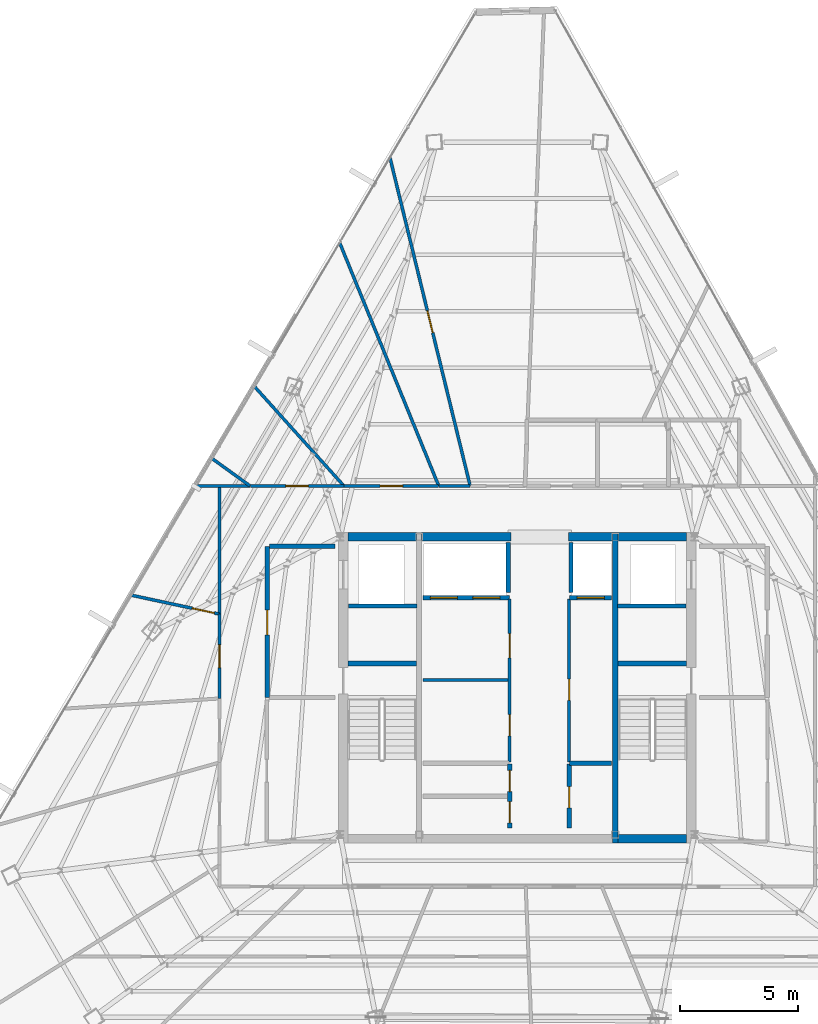
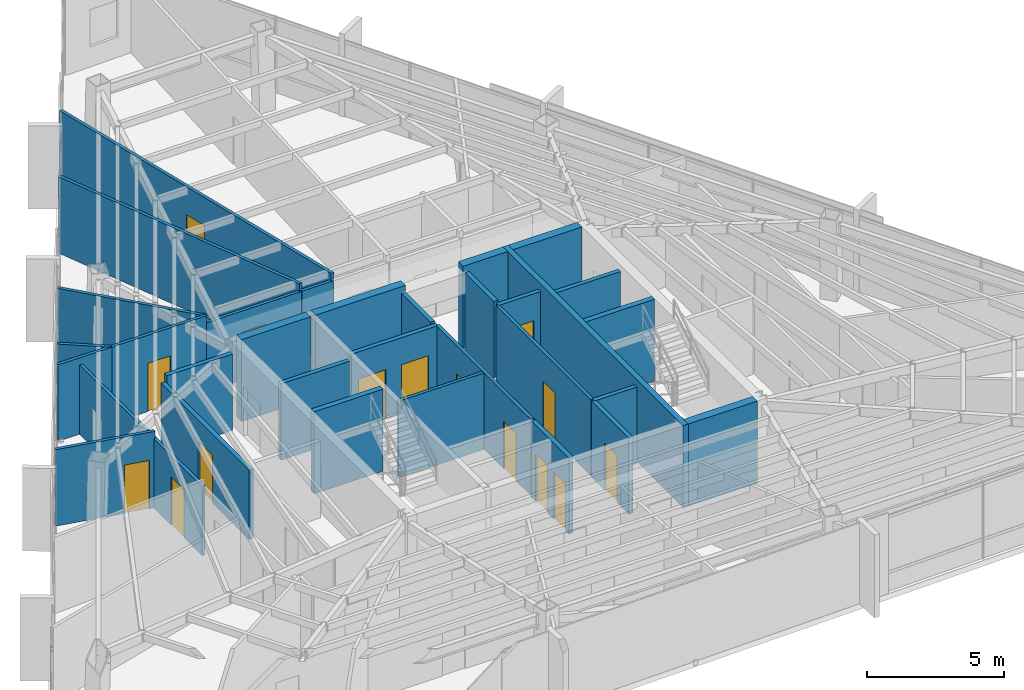
# One storey, part 44 of 48: 33 walls, 15 doors, 15 openings.
"""IFC4 building model written with IfcOpenShell, lengths in metres."""

from ifc_helpers import new_model, si_unit, direction, frame, frame_2d, origin, place, context, subcontext, project, spatial, rectangle, extrude, material, layer, layer_set, type_object, element, fill, save


model = new_model("IFC4")

# Units and contexts
model_context = context("Model", 3, precision=1e-05, world=origin(), true_north=direction((0.0, 1.0)))
body_context = subcontext(model_context, "Body", "Model", "MODEL_VIEW")
ifc_project = project(units=[si_unit("LENGTHUNIT", "METRE"), si_unit("AREAUNIT", "SQUARE_METRE"), si_unit("VOLUMEUNIT", "CUBIC_METRE"), si_unit("PLANEANGLEUNIT", "RADIAN"), si_unit("MASSUNIT", "GRAM", prefix="KILO")], contexts=[model_context])

# Site, building, storey
site_placement = place(None, origin())
site = spatial("IfcSite", under=ifc_project, at=site_placement, CompositionType="ELEMENT")
building_placement = place(site_placement, origin())
building = spatial("IfcBuilding", under=site, at=building_placement, Name="Caelisora Broadcast Tower", CompositionType="ELEMENT")
storey_placement = place(building_placement, frame((0.0, 0.0, 270.0)))
storey = spatial("IfcBuildingStorey", under=building, at=storey_placement, Name="L71", CompositionType="ELEMENT", Elevation=270.0)

# Walls
ifc_material_1 = material(Name="Concrete 40 MPa (AS 3600 N40)", Category="concrete")
ifc_layer_1 = layer(ifc_material_1, 0.35009765625, Name="Concrete 40 MPa (AS 3600 N40)")
ifc_layer_set_1 = layer_set([ifc_layer_1], Name="Concrete 40 MPa (AS 3600 N40)")
wall_type_1 = type_object("IfcWallType", Name="CW6", PredefinedType="SHEAR", material=ifc_layer_set_1)
for number, where, z_axis, x_axis, name in (
    (1, (42.260009765625, 17.22509765625, 0.0), (0.0, 0.0, 1.0), (1.0, 0.0, 0.0), "L71 core shear wall CW6"),
    (2, (30.840087890625, 30.0, 0.0), (0.0, 0.0, 1.0), (1.0, 0.0, 0.0), "L71 core shear wall CW6"),
):
    element("IfcWall", number, at=place(storey_placement, frame(where, z_axis=z_axis, x_axis=x_axis)), inside=storey, type_object=wall_type_1, Name=name, PredefinedType="SHEAR", context=body_context, shape_type="SweptSolid", body=[
        extrude(rectangle(XDim=2.89990234375, YDim=0.35009765625, at=frame_2d((1.449951171875, 0.0))), origin(), (0.0, 0.0, 1.0), 3.64990234375),
    ])
wall_1_placement = place(storey_placement, frame((33.9599609375, 30.0, 0.0), z_axis=(0.0, 0.0, 1.0), x_axis=(1.0, 0.0, 0.0)))
element("IfcWall", 3, at=wall_1_placement, inside=storey, type_object=wall_type_1, Name="L71 core shear wall CW6", PredefinedType="SHEAR", context=body_context, shape_type="SweptSolid", body=[
    extrude(rectangle(XDim=3.780029296875, YDim=0.35009765625, at=frame_2d((1.89013671875, 0.0))), origin(), (0.0, 0.0, 1.0), 3.64990234375),
])
wall_2_placement = place(storey_placement, frame((40.159912109375, 30.0, 0.0), z_axis=(0.0, 0.0, 1.0), x_axis=(1.0, 0.0, 0.0)))
element("IfcWall", 4, at=wall_2_placement, inside=storey, type_object=wall_type_1, Name="L71 core shear wall CW6", PredefinedType="SHEAR", context=body_context, shape_type="SweptSolid", body=[
    extrude(rectangle(XDim=1.880126953125, YDim=0.35009765625, at=frame_2d((0.93994140625, 0.0))), origin(), (0.0, 0.0, 1.0), 3.64990234375),
])
wall_3_placement = place(storey_placement, frame((42.260009765625, 30.0, 0.0), z_axis=(0.0, 0.0, 1.0), x_axis=(1.0, 0.0, 0.0)))
element("IfcWall", 5, at=wall_3_placement, inside=storey, type_object=wall_type_1, Name="L71 core shear wall CW6", PredefinedType="SHEAR", context=body_context, shape_type="SweptSolid", body=[
    extrude(rectangle(XDim=2.89990234375, YDim=0.35009765625, at=frame_2d((1.449951171875, 0.0))), origin(), (0.0, 0.0, 1.0), 3.64990234375),
])
ifc_material_2 = material(Name="Concrete 50 MPa (AS 3600 S50)", Category="concrete")
ifc_layer_2 = layer(ifc_material_2, 0.219970703125, Name="Concrete 50 MPa (AS 3600 S50)")
ifc_layer_set_2 = layer_set([ifc_layer_2], Name="Concrete 50 MPa (AS 3600 S50)")
wall_type_2 = type_object("IfcWallType", Name="CW7", PredefinedType="SHEAR", material=ifc_layer_set_2)
wall_4_placement = place(storey_placement, frame((42.14990234375, 17.050048828125, 0.0), z_axis=(0.0, 0.0, 1.0), x_axis=(0.0, 1.0, 0.0)))
element("IfcWall", 6, at=wall_4_placement, inside=storey, type_object=wall_type_2, Name="L71 core shear wall CW7", PredefinedType="SHEAR", context=body_context, shape_type="SweptSolid", body=[
    extrude(rectangle(XDim=13.125, YDim=0.219970703125, at=frame_2d((6.5625, 0.0))), origin(), (0.0, 0.0, 1.0), 3.64990234375),
])
for number, where, z_axis, x_axis, name in (
    (7, (30.840087890625, 24.639892578125, 0.0), (0.0, 0.0, 1.0), (1.0, 0.0, 0.0), "L71 core shear wall CW7"),
    (8, (42.260009765625, 24.639892578125, 0.0), (0.0, 0.0, 1.0), (1.0, 0.0, 0.0), "L71 core shear wall CW7"),
):
    element("IfcWall", number, at=place(storey_placement, frame(where, z_axis=z_axis, x_axis=x_axis)), inside=storey, type_object=wall_type_2, Name=name, PredefinedType="SHEAR", context=body_context, shape_type="SweptSolid", body=[
        extrude(rectangle(XDim=2.89990234375, YDim=0.219970703125, at=frame_2d((1.449951171875, 0.0))), origin(), (0.0, 0.0, 1.0), 3.64990234375),
    ])

# Wall, openings, doors
ifc_material_3 = material(Name="Fire-Rated Gypsum Shaft and Compartment Wall", Category="gypsum")
ifc_layer_3 = layer(ifc_material_3, 0.179931640625, Name="Fire-Rated Gypsum Shaft and Compartment Wall")
ifc_layer_set_3 = layer_set([ifc_layer_3], Name="Fire-Rated Gypsum Shaft and Compartment Wall")
wall_type_3 = type_object("IfcWallType", Name="PW2", PredefinedType="PARTITIONING", material=ifc_layer_set_3)
wall_5_placement = place(storey_placement, frame((34.02001953125, 27.419921875, 0.0), z_axis=(0.0, 0.0, 1.0), x_axis=(1.0, 0.0, 0.0)))
wall_5 = element("IfcWall", 9, at=wall_5_placement, inside=storey, type_object=wall_type_3, Name="L71 fire compartment wall PW2", PredefinedType="PARTITIONING", context=body_context, shape_type="SweptSolid", body=[
    extrude(rectangle(XDim=3.659912109375, YDim=0.179931640625, at=frame_2d((1.830078125, 0.0))), origin(), (0.0, 0.0, 1.0), 3.39990234375),
])
opening_1_placement = place(wall_5_placement, frame((0.300048828125, 0.0, 0.0)))
opening_1 = element("IfcOpeningElement", 10, at=opening_1_placement, cuts=wall_5, Name="Opening LD02", PredefinedType="OPENING", context=body_context, shape_type="SweptSolid", body=[
    extrude(rectangle(XDim=1.14990234375, YDim=2.199951171875, at=frame_2d((0.574951171875, 1.10009765625))), frame((0.0, 0.10205078125, 0.0), z_axis=(0.0, -1.0, 0.0), x_axis=(1.0, 0.0, 0.0)), (0.0, 0.0, 1.0), 0.203857421875),
])
opening_2_placement = place(wall_5_placement, frame((2.10009765625, 0.0, 0.0)))
opening_2 = element("IfcOpeningElement", 11, at=opening_2_placement, cuts=wall_5, Name="Opening LD02", PredefinedType="OPENING", context=body_context, shape_type="SweptSolid", body=[
    extrude(rectangle(XDim=1.14990234375, YDim=2.199951171875, at=frame_2d((0.574951171875, 1.10009765625))), frame((0.0, 0.10205078125, 0.0), z_axis=(0.0, -1.0, 0.0), x_axis=(1.0, 0.0, 0.0)), (0.0, 0.0, 1.0), 0.203857421875),
])
ifc_material_4 = material(Name="High-Speed Express Lift Sliding Landing Door", Category="steel")
door_type_1 = type_object("IfcDoorType", Name="LD02", OperationType="NOTDEFINED", PredefinedType="DOOR", material=ifc_material_4)
door_1_placement = place(opening_1_placement, origin())
door_1 = element("IfcDoor", 12, at=door_1_placement, inside=storey, type_object=door_type_1, Name="L71 door LD02 (L71-LD-PLH1)", OperationType="SLIDING_TO_RIGHT", OverallHeight=2.199951171875, OverallWidth=1.14990234375, PredefinedType="DOOR", context=body_context, shape_type="SweptSolid", body=[
    extrude(rectangle(XDim=1.14990234375, YDim=2.199951171875, at=frame_2d((0.574951171875, 1.10009765625))), frame((0.0, 0.02490234375, 0.0), z_axis=(0.0, -1.0, 0.0), x_axis=(1.0, 0.0, 0.0)), (0.0, 0.0, 1.0), 0.050048828125),
])
fill(opening_1, door_1)
door_2_placement = place(opening_2_placement, origin())
door_2 = element("IfcDoor", 13, at=door_2_placement, inside=storey, type_object=door_type_1, Name="L71 door LD02 (L71-LD-PLH2)", OperationType="SLIDING_TO_LEFT", OverallHeight=2.199951171875, OverallWidth=1.14990234375, PredefinedType="DOOR", context=body_context, shape_type="SweptSolid", body=[
    extrude(rectangle(XDim=1.14990234375, YDim=2.199951171875, at=frame_2d((0.574951171875, 1.10009765625))), frame((0.0, 0.02490234375, 0.0), z_axis=(0.0, -1.0, 0.0), x_axis=(1.0, 0.0, 0.0)), (0.0, 0.0, 1.0), 0.050048828125),
])
fill(opening_2, door_2)

# Wall, opening, door
wall_6_placement = place(storey_placement, frame((40.219970703125, 27.419921875, 0.0), z_axis=(0.0, 0.0, 1.0), x_axis=(1.0, 0.0, 0.0)))
wall_6 = element("IfcWall", 14, at=wall_6_placement, inside=storey, type_object=wall_type_3, Name="L71 fire compartment wall PW2", PredefinedType="PARTITIONING", context=body_context, shape_type="SweptSolid", body=[
    extrude(rectangle(XDim=1.760009765625, YDim=0.179931640625, at=frame_2d((0.8798828125, 0.0))), origin(), (0.0, 0.0, 1.0), 3.39990234375),
])
opening_3_placement = place(wall_6_placement, frame((0.320068359375, 0.0, 0.0)))
opening_3 = element("IfcOpeningElement", 15, at=opening_3_placement, cuts=wall_6, Name="Opening LD02", PredefinedType="OPENING", context=body_context, shape_type="SweptSolid", body=[
    extrude(rectangle(XDim=1.14990234375, YDim=2.199951171875, at=frame_2d((0.574951171875, 1.10009765625))), frame((0.0, 0.10205078125, 0.0), z_axis=(0.0, -1.0, 0.0), x_axis=(1.0, 0.0, 0.0)), (0.0, 0.0, 1.0), 0.203857421875),
])
door_3_placement = place(opening_3_placement, origin())
door_3 = element("IfcDoor", 16, at=door_3_placement, inside=storey, type_object=door_type_1, Name="L71 door LD02 (L71-LD-PLH3)", OperationType="SLIDING_TO_RIGHT", OverallHeight=2.199951171875, OverallWidth=1.14990234375, PredefinedType="DOOR", context=body_context, shape_type="SweptSolid", body=[
    extrude(rectangle(XDim=1.14990234375, YDim=2.199951171875, at=frame_2d((0.574951171875, 1.10009765625))), frame((0.0, 0.02490234375, 0.0), z_axis=(0.0, -1.0, 0.0), x_axis=(1.0, 0.0, 0.0)), (0.0, 0.0, 1.0), 0.050048828125),
])
fill(opening_3, door_3)

# Walls
for number, where, z_axis, x_axis, name in (
    (17, (37.6201171875, 27.639892578125, 0.0), (0.0, 0.0, 1.0), (0.0, 1.0, 0.0), "L71 fire compartment wall PW2"),
    (18, (40.280029296875, 27.639892578125, 0.0), (0.0, 0.0, 1.0), (0.0, 1.0, 0.0), "L71 fire compartment wall PW2"),
):
    element("IfcWall", number, at=place(storey_placement, frame(where, z_axis=z_axis, x_axis=x_axis)), inside=storey, type_object=wall_type_3, Name=name, PredefinedType="PARTITIONING", context=body_context, shape_type="SweptSolid", body=[
        extrude(rectangle(XDim=2.110107421875, YDim=0.179931640625, at=frame_2d((1.05517578125, 0.0))), origin(), (0.0, 0.0, 1.0), 3.39990234375),
    ])

# Wall, opening, door
wall_7_placement = place(storey_placement, frame((27.419921875, 23.199951171875, 0.0), z_axis=(0.0, 0.0, 1.0), x_axis=(0.0, 1.0, 0.0)))
wall_7 = element("IfcWall", 19, at=wall_7_placement, inside=storey, type_object=wall_type_3, Name="L71 fire compartment wall PW2", PredefinedType="PARTITIONING", context=body_context, shape_type="SweptSolid", body=[
    extrude(rectangle(XDim=6.400146484375, YDim=0.179931640625, at=frame_2d((3.2001953125, 0.0))), origin(), (0.0, 0.0, 1.0), 3.0849609375),
])
opening_4_placement = place(wall_7_placement, frame((2.64990234375, 0.0, 0.0)))
opening_4 = element("IfcOpeningElement", 20, at=opening_4_placement, cuts=wall_7, Name="Opening FD02", PredefinedType="OPENING", context=body_context, shape_type="SweptSolid", body=[
    extrude(rectangle(XDim=1.050048828125, YDim=2.14990234375, at=frame_2d((0.52490234375, 1.074951171875))), frame((0.0, 0.10205078125, 0.0), z_axis=(0.0, -1.0, 0.0), x_axis=(1.0, 0.0, 0.0)), (0.0, 0.0, 1.0), 0.203857421875),
])
ifc_material_5 = material(Name="Single-Leaf Steel Fire Lobby Door", Category="steel")
door_type_2 = type_object("IfcDoorType", Name="FD02", OperationType="NOTDEFINED", PredefinedType="DOOR", material=ifc_material_5)
door_4_placement = place(opening_4_placement, origin())
door_4 = element("IfcDoor", 21, at=door_4_placement, inside=storey, type_object=door_type_2, Name="L71 door FD02 (L71-DR-P01D1)", OperationType="SINGLE_SWING_LEFT", OverallHeight=2.14990234375, OverallWidth=1.050048828125, PredefinedType="DOOR", context=body_context, shape_type="SweptSolid", body=[
    extrude(rectangle(XDim=1.050048828125, YDim=2.14990234375, at=frame_2d((0.52490234375, 1.074951171875))), frame((0.0, 0.02490234375, 0.0), z_axis=(0.0, -1.0, 0.0), x_axis=(1.0, 0.0, 0.0)), (0.0, 0.0, 1.0), 0.050048828125),
])
fill(opening_4, door_4)

# Walls
wall_8_placement = place(storey_placement, frame((27.52001953125, 29.60009765625, 0.0), z_axis=(0.0, 0.0, 1.0), x_axis=(1.0, 0.0, 0.0)))
element("IfcWall", 22, at=wall_8_placement, inside=storey, type_object=wall_type_3, Name="L71 fire compartment wall PW2", PredefinedType="PARTITIONING", context=body_context, shape_type="SweptSolid", body=[
    extrude(rectangle(XDim=2.760009765625, YDim=0.179931640625, at=frame_2d((1.3798828125, 0.0))), origin(), (0.0, 0.0, 1.0), 3.39990234375),
])
for number, where, z_axis, x_axis, name in (
    (23, (30.860107421875, 27.070068359375, 0.0), (0.0, 0.0, 1.0), (1.0, 0.0, 0.0), "L71 fire compartment wall PW2"),
    (24, (42.239990234375, 27.070068359375, 0.0), (0.0, 0.0, 1.0), (1.0, 0.0, 0.0), "L71 fire compartment wall PW2"),
):
    element("IfcWall", number, at=place(storey_placement, frame(where, z_axis=z_axis, x_axis=x_axis)), inside=storey, type_object=wall_type_3, Name=name, PredefinedType="PARTITIONING", context=body_context, shape_type="SweptSolid", body=[
        extrude(rectangle(XDim=2.89990234375, YDim=0.179931640625, at=frame_2d((1.449951171875, 0.0))), origin(), (0.0, 0.0, 1.0), 3.39990234375),
    ])
wall_9_placement = place(storey_placement, frame((40.219970703125, 20.419921875, 0.0), z_axis=(0.0, 0.0, 1.0), x_axis=(1.0, 0.0, 0.0)))
element("IfcWall", 25, at=wall_9_placement, inside=storey, type_object=wall_type_3, Name="L71 fire compartment wall PW2", PredefinedType="PARTITIONING", context=body_context, shape_type="SweptSolid", body=[
    extrude(rectangle(XDim=1.760009765625, YDim=0.179931640625, at=frame_2d((0.8798828125, 0.0))), origin(), (0.0, 0.0, 1.0), 3.39990234375),
])

# Wall, openings, doors
wall_10_placement = place(storey_placement, frame((37.679931640625, 17.679931640625, 0.0), z_axis=(0.0, 0.0, 1.0), x_axis=(0.0, 1.0, 0.0)))
wall_10 = element("IfcWall", 26, at=wall_10_placement, inside=storey, type_object=wall_type_3, Name="L71 fire compartment wall PW2", PredefinedType="PARTITIONING", context=body_context, shape_type="SweptSolid", body=[
    extrude(rectangle(XDim=2.699951171875, YDim=0.179931640625, at=frame_2d((1.35009765625, 0.0))), origin(), (0.0, 0.0, 1.0), 3.39990234375),
])
opening_5_placement = place(wall_10_placement, frame((0.219970703125, 0.0, 0.0)))
opening_5 = element("IfcOpeningElement", 27, at=opening_5_placement, cuts=wall_10, Name="Opening FD03", PredefinedType="OPENING", context=body_context, shape_type="SweptSolid", body=[
    extrude(rectangle(XDim=0.89990234375, YDim=2.10009765625, at=frame_2d((0.449951171875, 1.050048828125))), frame((0.0, 0.10205078125, 0.0), z_axis=(0.0, -1.0, 0.0), x_axis=(1.0, 0.0, 0.0)), (0.0, 0.0, 1.0), 0.203857421875),
])
opening_6_placement = place(wall_10_placement, frame((1.5400390625, 0.0, 0.0)))
opening_6 = element("IfcOpeningElement", 28, at=opening_6_placement, cuts=wall_10, Name="Opening FD03", PredefinedType="OPENING", context=body_context, shape_type="SweptSolid", body=[
    extrude(rectangle(XDim=0.89990234375, YDim=2.10009765625, at=frame_2d((0.449951171875, 1.050048828125))), frame((0.0, 0.10205078125, 0.0), z_axis=(0.0, -1.0, 0.0), x_axis=(1.0, 0.0, 0.0)), (0.0, 0.0, 1.0), 0.203857421875),
])
ifc_material_6 = material(Name="Single-Leaf Steel Riser Fire Access Door", Category="steel")
door_type_3 = type_object("IfcDoorType", Name="FD03", OperationType="NOTDEFINED", PredefinedType="DOOR", material=ifc_material_6)
door_5_placement = place(opening_5_placement, origin())
door_5 = element("IfcDoor", 29, at=door_5_placement, inside=storey, type_object=door_type_3, Name="L71 door FD03 (L71-DR-P15D1)", OperationType="SINGLE_SWING_RIGHT", OverallHeight=2.10009765625, OverallWidth=0.89990234375, PredefinedType="DOOR", context=body_context, shape_type="SweptSolid", body=[
    extrude(rectangle(XDim=0.89990234375, YDim=2.10009765625, at=frame_2d((0.449951171875, 1.050048828125))), frame((0.0, 0.02490234375, 0.0), z_axis=(0.0, -1.0, 0.0), x_axis=(1.0, 0.0, 0.0)), (0.0, 0.0, 1.0), 0.050048828125),
])
fill(opening_5, door_5)
door_6_placement = place(opening_6_placement, origin())
door_6 = element("IfcDoor", 30, at=door_6_placement, inside=storey, type_object=door_type_3, Name="L71 door FD03 (L71-DR-P15D2)", OperationType="SINGLE_SWING_LEFT", OverallHeight=2.10009765625, OverallWidth=0.89990234375, PredefinedType="DOOR", context=body_context, shape_type="SweptSolid", body=[
    extrude(rectangle(XDim=0.89990234375, YDim=2.10009765625, at=frame_2d((0.449951171875, 1.050048828125))), frame((0.0, 0.02490234375, 0.0), z_axis=(0.0, -1.0, 0.0), x_axis=(1.0, 0.0, 0.0)), (0.0, 0.0, 1.0), 0.050048828125),
])
fill(opening_6, door_6)

# Wall, opening, door
wall_11_placement = place(storey_placement, frame((40.199951171875, 17.679931640625, 0.0), z_axis=(0.0, 0.0, 1.0), x_axis=(0.0, 1.0, 0.0)))
wall_11 = element("IfcWall", 31, at=wall_11_placement, inside=storey, type_object=wall_type_3, Name="L71 fire compartment wall PW2", PredefinedType="PARTITIONING", context=body_context, shape_type="SweptSolid", body=[
    extrude(rectangle(XDim=2.699951171875, YDim=0.179931640625, at=frame_2d((1.35009765625, 0.0))), origin(), (0.0, 0.0, 1.0), 3.39990234375),
])
opening_7_placement = place(wall_11_placement, frame((0.85009765625, 0.0, 0.0)))
opening_7 = element("IfcOpeningElement", 32, at=opening_7_placement, cuts=wall_11, Name="Opening FD03", PredefinedType="OPENING", context=body_context, shape_type="SweptSolid", body=[
    extrude(rectangle(XDim=0.89990234375, YDim=2.10009765625, at=frame_2d((0.449951171875, 1.050048828125))), frame((0.0, 0.10205078125, 0.0), z_axis=(0.0, -1.0, 0.0), x_axis=(1.0, 0.0, 0.0)), (0.0, 0.0, 1.0), 0.203857421875),
])
door_7_placement = place(opening_7_placement, origin())
door_7 = element("IfcDoor", 33, at=door_7_placement, inside=storey, type_object=door_type_3, Name="L71 door FD03 (L71-DR-P16D1)", OperationType="SINGLE_SWING_RIGHT", OverallHeight=2.10009765625, OverallWidth=0.89990234375, PredefinedType="DOOR", context=body_context, shape_type="SweptSolid", body=[
    extrude(rectangle(XDim=0.89990234375, YDim=2.10009765625, at=frame_2d((0.449951171875, 1.050048828125))), frame((0.0, 0.02490234375, 0.0), z_axis=(0.0, -1.0, 0.0), x_axis=(1.0, 0.0, 0.0)), (0.0, 0.0, 1.0), 0.050048828125),
])
fill(opening_7, door_7)

# Wall
ifc_material_7 = material(Name="Acoustic Steel-Stud Plasterboard Partition", Category="gypsum")
ifc_layer_4 = layer(ifc_material_7, 0.1298828125, Name="Acoustic Steel-Stud Plasterboard Partition")
ifc_layer_set_4 = layer_set([ifc_layer_4], Name="Acoustic Steel-Stud Plasterboard Partition")
wall_type_4 = type_object("IfcWallType", Name="PW3", PredefinedType="PARTITIONING", material=ifc_layer_set_4)
wall_12_placement = place(storey_placement, frame((34.02001953125, 23.949951171875, 0.0), z_axis=(0.0, 0.0, 1.0), x_axis=(1.0, 0.0, 0.0)))
element("IfcWall", 34, at=wall_12_placement, inside=storey, type_object=wall_type_4, Name="L71 internal partition PW3", PredefinedType="PARTITIONING", context=body_context, shape_type="SweptSolid", body=[
    extrude(rectangle(XDim=3.580078125, YDim=0.1298828125, at=frame_2d((1.7900390625, 0.0))), origin(), (0.0, 0.0, 1.0), 3.39990234375),
])

# Wall, openings, doors
wall_13_placement = place(storey_placement, frame((37.679931640625, 20.47998046875, 0.0), z_axis=(0.0, 0.0, 1.0), x_axis=(0.0, 1.0, 0.0)))
wall_13 = element("IfcWall", 35, at=wall_13_placement, inside=storey, type_object=wall_type_4, Name="L71 internal partition PW3", PredefinedType="PARTITIONING", context=body_context, shape_type="SweptSolid", body=[
    extrude(rectangle(XDim=6.89990234375, YDim=0.1298828125, at=frame_2d((3.449951171875, 0.0))), origin(), (0.0, 0.0, 1.0), 3.39990234375),
])
opening_8_placement = place(wall_13_placement, frame((1.10009765625, 0.0, 0.0)))
opening_8 = element("IfcOpeningElement", 36, at=opening_8_placement, cuts=wall_13, Name="Opening FD03", PredefinedType="OPENING", context=body_context, shape_type="SweptSolid", body=[
    extrude(rectangle(XDim=0.89990234375, YDim=2.10009765625, at=frame_2d((0.449951171875, 1.050048828125))), frame((0.0, 0.076904296875, 0.0), z_axis=(0.0, -1.0, 0.0), x_axis=(1.0, 0.0, 0.0)), (0.0, 0.0, 1.0), 0.15380859375),
])
opening_9_placement = place(wall_13_placement, frame((4.39990234375, 0.0, 0.0)))
opening_9 = element("IfcOpeningElement", 37, at=opening_9_placement, cuts=wall_13, Name="Opening D02", PredefinedType="OPENING", context=body_context, shape_type="SweptSolid", body=[
    extrude(rectangle(XDim=1.02001953125, YDim=2.14990234375, at=frame_2d((0.510009765625, 1.074951171875))), frame((0.0, 0.076904296875, 0.0), z_axis=(0.0, -1.0, 0.0), x_axis=(1.0, 0.0, 0.0)), (0.0, 0.0, 1.0), 0.15380859375),
])
ifc_material_8 = material(Name="Solid-Core Timber Archive Suite Door", Category="wood")
door_type_4 = type_object("IfcDoorType", Name="D02", OperationType="NOTDEFINED", PredefinedType="DOOR", material=ifc_material_8)
door_8_placement = place(opening_9_placement, origin())
door_8 = element("IfcDoor", 38, at=door_8_placement, inside=storey, type_object=door_type_4, Name="L71 door D02 (L71-DR-P12D2)", OperationType="SINGLE_SWING_RIGHT", OverallHeight=2.14990234375, OverallWidth=1.02001953125, PredefinedType="DOOR", context=body_context, shape_type="SweptSolid", body=[
    extrude(rectangle(XDim=1.02001953125, YDim=2.14990234375, at=frame_2d((0.510009765625, 1.074951171875))), frame((0.0, 0.02490234375, 0.0), z_axis=(0.0, -1.0, 0.0), x_axis=(1.0, 0.0, 0.0)), (0.0, 0.0, 1.0), 0.050048828125),
])
fill(opening_9, door_8)
door_9_placement = place(opening_8_placement, origin())
door_9 = element("IfcDoor", 39, at=door_9_placement, inside=storey, type_object=door_type_3, Name="L71 door FD03 (L71-DR-P12D1)", OperationType="SINGLE_SWING_LEFT", OverallHeight=2.10009765625, OverallWidth=0.89990234375, PredefinedType="DOOR", context=body_context, shape_type="SweptSolid", body=[
    extrude(rectangle(XDim=0.89990234375, YDim=2.10009765625, at=frame_2d((0.449951171875, 1.050048828125))), frame((0.0, 0.02490234375, 0.0), z_axis=(0.0, -1.0, 0.0), x_axis=(1.0, 0.0, 0.0)), (0.0, 0.0, 1.0), 0.050048828125),
])
fill(opening_8, door_9)

# Wall, opening, door
wall_14_placement = place(storey_placement, frame((40.199951171875, 20.47998046875, 0.0), z_axis=(0.0, 0.0, 1.0), x_axis=(0.0, 1.0, 0.0)))
wall_14 = element("IfcWall", 40, at=wall_14_placement, inside=storey, type_object=wall_type_4, Name="L71 internal partition PW3", PredefinedType="PARTITIONING", context=body_context, shape_type="SweptSolid", body=[
    extrude(rectangle(XDim=6.89990234375, YDim=0.1298828125, at=frame_2d((3.449951171875, 0.0))), origin(), (0.0, 0.0, 1.0), 3.39990234375),
])
opening_10_placement = place(wall_14_placement, frame((2.60009765625, 0.0, 0.0)))
opening_10 = element("IfcOpeningElement", 41, at=opening_10_placement, cuts=wall_14, Name="Opening FD03", PredefinedType="OPENING", context=body_context, shape_type="SweptSolid", body=[
    extrude(rectangle(XDim=0.89990234375, YDim=2.10009765625, at=frame_2d((0.449951171875, 1.050048828125))), frame((0.0, 0.076904296875, 0.0), z_axis=(0.0, -1.0, 0.0), x_axis=(1.0, 0.0, 0.0)), (0.0, 0.0, 1.0), 0.15380859375),
])
door_10_placement = place(opening_10_placement, origin())
door_10 = element("IfcDoor", 42, at=door_10_placement, inside=storey, type_object=door_type_3, Name="L71 door FD03 (L71-DR-P13D1)", OperationType="SINGLE_SWING_LEFT", OverallHeight=2.10009765625, OverallWidth=0.89990234375, PredefinedType="DOOR", context=body_context, shape_type="SweptSolid", body=[
    extrude(rectangle(XDim=0.89990234375, YDim=2.10009765625, at=frame_2d((0.449951171875, 1.050048828125))), frame((0.0, 0.02490234375, 0.0), z_axis=(0.0, -1.0, 0.0), x_axis=(1.0, 0.0, 0.0)), (0.0, 0.0, 1.0), 0.050048828125),
])
fill(opening_10, door_10)

wall_15_placement = place(storey_placement, frame((32.613525390625, 46.052734375, 0.0), z_axis=(0.0, 0.0, 1.0), x_axis=(0.23734036906, -0.97142655369, 0.0)))
wall_15 = element("IfcWall", 43, at=wall_15_placement, inside=storey, type_object=wall_type_4, Name="L71 internal partition PW3", PredefinedType="PARTITIONING", context=body_context, shape_type="SweptSolid", body=[
    extrude(rectangle(XDim=14.306396484375, YDim=0.1298828125, at=frame_2d((7.1533203125, 0.0))), origin(), (0.0, 0.0, 1.0), 3.39990234375),
])
opening_11_placement = place(wall_15_placement, frame((6.67333984375, 0.0, 0.0)))
opening_11 = element("IfcOpeningElement", 44, at=opening_11_placement, cuts=wall_15, Name="Opening D01", PredefinedType="OPENING", context=body_context, shape_type="SweptSolid", body=[
    extrude(rectangle(XDim=0.9599609375, YDim=2.14990234375, at=frame_2d((0.47998046875, 1.074951171875))), frame((0.0, 0.076904296875, 0.0), z_axis=(0.0, -1.0, 0.0), x_axis=(1.0, 0.0, 0.0)), (0.0, 0.0, 1.0), 0.15380859375),
])
ifc_material_9 = material(Name="Solid-Core Timber Acoustic Office Door", Category="wood")
door_type_5 = type_object("IfcDoorType", Name="D01", OperationType="NOTDEFINED", PredefinedType="DOOR", material=ifc_material_9)
door_11_placement = place(opening_11_placement, origin())
door_11 = element("IfcDoor", 45, at=door_11_placement, inside=storey, type_object=door_type_5, Name="L71 door D01 (L71-DR-RSC01)", OperationType="SINGLE_SWING_RIGHT", OverallHeight=2.14990234375, OverallWidth=0.9599609375, PredefinedType="DOOR", context=body_context, shape_type="SweptSolid", body=[
    extrude(rectangle(XDim=0.9599609375, YDim=2.14990234375, at=frame_2d((0.47998046875, 1.074951171875))), frame((0.0, 0.02490234375, 0.0), z_axis=(0.0, -1.0, 0.0), x_axis=(1.0, 0.0, 0.0)), (0.0, 0.0, 1.0), 0.050048828125),
])
fill(opening_11, door_11)

# Walls
wall_16_placement = place(storey_placement, frame((30.485107421875, 42.44921875, 0.0), z_axis=(0.0, 0.0, 1.0), x_axis=(0.377215256093, -0.926125612739, 0.0)))
element("IfcWall", 46, at=wall_16_placement, inside=storey, type_object=wall_type_4, Name="L71 internal partition PW3", PredefinedType="PARTITIONING", context=body_context, shape_type="SweptSolid", body=[
    extrude(rectangle(XDim=11.115234375, YDim=0.1298828125, at=frame_2d((5.5576171875, 0.0))), origin(), (0.0, 0.0, 1.0), 3.39990234375),
])
wall_17_placement = place(storey_placement, frame((26.88623046875, 36.3564453125, 0.0), z_axis=(0.0, 0.0, 1.0), x_axis=(0.668828710081, -0.743416543111, 0.0)))
element("IfcWall", 47, at=wall_17_placement, inside=storey, type_object=wall_type_4, Name="L71 internal partition PW3", PredefinedType="PARTITIONING", context=body_context, shape_type="SweptSolid", body=[
    extrude(rectangle(XDim=5.65283203125, YDim=0.1298828125, at=frame_2d((2.826416015625, 0.0))), origin(), (0.0, 0.0, 1.0), 3.39990234375),
])
wall_18_placement = place(storey_placement, frame((25.39990234375, 26.735107421875, 0.0), z_axis=(0.0, 0.0, 1.0), x_axis=(0.0, 1.0, 0.0)))
element("IfcWall", 48, at=wall_18_placement, inside=storey, type_object=wall_type_4, Name="L71 internal partition PW3", PredefinedType="PARTITIONING", context=body_context, shape_type="SweptSolid", body=[
    extrude(rectangle(XDim=5.409912109375, YDim=0.1298828125, at=frame_2d((2.705078125, 0.0))), origin(), (0.0, 0.0, 1.0), 3.0849609375),
])

# Wall, opening, door
wall_19_placement = place(storey_placement, frame((30.675048828125, 32.14990234375, 0.0), z_axis=(0.0, 0.0, 1.0), x_axis=(1.0, 0.0, 0.0)))
wall_19 = element("IfcWall", 49, at=wall_19_placement, inside=storey, type_object=wall_type_4, Name="L71 internal partition PW3", PredefinedType="PARTITIONING", context=body_context, shape_type="SweptSolid", body=[
    extrude(rectangle(XDim=4.0, YDim=0.1298828125, at=frame_2d((2.0, 0.0))), origin(), (0.0, 0.0, 1.0), 3.0849609375),
])
opening_12_placement = place(wall_19_placement, frame((1.52001953125, 0.0, 0.0)))
opening_12 = element("IfcOpeningElement", 50, at=opening_12_placement, cuts=wall_19, Name="Opening D01", PredefinedType="OPENING", context=body_context, shape_type="SweptSolid", body=[
    extrude(rectangle(XDim=0.9599609375, YDim=2.14990234375, at=frame_2d((0.47998046875, 1.074951171875))), frame((0.0, 0.076904296875, 0.0), z_axis=(0.0, -1.0, 0.0), x_axis=(1.0, 0.0, 0.0)), (0.0, 0.0, 1.0), 0.15380859375),
])
door_12_placement = place(opening_12_placement, origin())
door_12 = element("IfcDoor", 51, at=door_12_placement, inside=storey, type_object=door_type_5, Name="L71 door D01 (L71-DR-P58D1)", OperationType="SINGLE_SWING_LEFT", OverallHeight=2.14990234375, OverallWidth=0.9599609375, PredefinedType="DOOR", context=body_context, shape_type="SweptSolid", body=[
    extrude(rectangle(XDim=0.9599609375, YDim=2.14990234375, at=frame_2d((0.47998046875, 1.074951171875))), frame((0.0, 0.02490234375, 0.0), z_axis=(0.0, -1.0, 0.0), x_axis=(1.0, 0.0, 0.0)), (0.0, 0.0, 1.0), 0.050048828125),
])
fill(opening_12, door_12)

wall_20_placement = place(storey_placement, frame((26.705078125, 32.14990234375, 0.0), z_axis=(0.0, 0.0, 1.0), x_axis=(1.0, 0.0, 0.0)))
wall_20 = element("IfcWall", 52, at=wall_20_placement, inside=storey, type_object=wall_type_4, Name="L71 internal partition PW3", PredefinedType="PARTITIONING", context=body_context, shape_type="SweptSolid", body=[
    extrude(rectangle(XDim=3.9599609375, YDim=0.1298828125, at=frame_2d((1.97998046875, 0.0))), origin(), (0.0, 0.0, 1.0), 3.39990234375),
])
opening_13_placement = place(wall_20_placement, frame((1.5, 0.0, 0.0)))
opening_13 = element("IfcOpeningElement", 53, at=opening_13_placement, cuts=wall_20, Name="Opening D01", PredefinedType="OPENING", context=body_context, shape_type="SweptSolid", body=[
    extrude(rectangle(XDim=0.9599609375, YDim=2.14990234375, at=frame_2d((0.47998046875, 1.074951171875))), frame((0.0, 0.076904296875, 0.0), z_axis=(0.0, -1.0, 0.0), x_axis=(1.0, 0.0, 0.0)), (0.0, 0.0, 1.0), 0.15380859375),
])
door_13_placement = place(opening_13_placement, origin())
door_13 = element("IfcDoor", 54, at=door_13_placement, inside=storey, type_object=door_type_5, Name="L71 door D01 (L71-DR-P59D1)", OperationType="SINGLE_SWING_RIGHT", OverallHeight=2.14990234375, OverallWidth=0.9599609375, PredefinedType="DOOR", context=body_context, shape_type="SweptSolid", body=[
    extrude(rectangle(XDim=0.9599609375, YDim=2.14990234375, at=frame_2d((0.47998046875, 1.074951171875))), frame((0.0, 0.02490234375, 0.0), z_axis=(0.0, -1.0, 0.0), x_axis=(1.0, 0.0, 0.0)), (0.0, 0.0, 1.0), 0.050048828125),
])
fill(opening_13, door_13)

wall_21_placement = place(storey_placement, frame((21.6728515625, 27.530029296875, 0.0), z_axis=(0.0, 0.0, 1.0), x_axis=(0.977723512094, -0.209896960192, 0.0)))
wall_21 = element("IfcWall", 55, at=wall_21_placement, inside=storey, type_object=wall_type_4, Name="L71 internal partition PW3", PredefinedType="PARTITIONING", context=body_context, shape_type="SweptSolid", body=[
    extrude(rectangle(XDim=3.806884765625, YDim=0.1298828125, at=frame_2d((1.9033203125, 0.0))), origin(), (0.0, 0.0, 1.0), 3.39990234375),
])
opening_14_placement = place(wall_21_placement, frame((2.626953125, 0.0, 0.0)))
opening_14 = element("IfcOpeningElement", 56, at=opening_14_placement, cuts=wall_21, Name="Opening D01", PredefinedType="OPENING", context=body_context, shape_type="SweptSolid", body=[
    extrude(rectangle(XDim=0.9599609375, YDim=2.14990234375, at=frame_2d((0.47998046875, 1.074951171875))), frame((0.0, 0.076904296875, 0.0), z_axis=(0.0, -1.0, 0.0), x_axis=(1.0, 0.0, 0.0)), (0.0, 0.0, 1.0), 0.15380859375),
])
door_14_placement = place(opening_14_placement, origin())
door_14 = element("IfcDoor", 57, at=door_14_placement, inside=storey, type_object=door_type_5, Name="L71 door D01 (L71-DR-P62D1)", OperationType="SINGLE_SWING_RIGHT", OverallHeight=2.14990234375, OverallWidth=0.9599609375, PredefinedType="DOOR", context=body_context, shape_type="SweptSolid", body=[
    extrude(rectangle(XDim=0.9599609375, YDim=2.14990234375, at=frame_2d((0.47998046875, 1.074951171875))), frame((0.0, 0.02490234375, 0.0), z_axis=(0.0, -1.0, 0.0), x_axis=(1.0, 0.0, 0.0)), (0.0, 0.0, 1.0), 0.050048828125),
])
fill(opening_14, door_14)

wall_22_placement = place(storey_placement, frame((25.39990234375, 23.1650390625, 0.0), z_axis=(0.0, 0.0, 1.0), x_axis=(0.0, 1.0, 0.0)))
wall_22 = element("IfcWall", 58, at=wall_22_placement, inside=storey, type_object=wall_type_4, Name="L71 internal partition PW3", PredefinedType="PARTITIONING", context=body_context, shape_type="SweptSolid", body=[
    extrude(rectangle(XDim=3.56005859375, YDim=0.1298828125, at=frame_2d((1.780029296875, 0.0))), origin(), (0.0, 0.0, 1.0), 3.0849609375),
])
opening_15_placement = place(wall_22_placement, frame((1.300048828125, 0.0, 0.0)))
opening_15 = element("IfcOpeningElement", 59, at=opening_15_placement, cuts=wall_22, Name="Opening D01", PredefinedType="OPENING", context=body_context, shape_type="SweptSolid", body=[
    extrude(rectangle(XDim=0.9599609375, YDim=2.14990234375, at=frame_2d((0.47998046875, 1.074951171875))), frame((0.0, 0.076904296875, 0.0), z_axis=(0.0, -1.0, 0.0), x_axis=(1.0, 0.0, 0.0)), (0.0, 0.0, 1.0), 0.15380859375),
])
door_15_placement = place(opening_15_placement, origin())
door_15 = element("IfcDoor", 60, at=door_15_placement, inside=storey, type_object=door_type_5, Name="L71 door D01 (L71-DR-P65D1)", OperationType="SINGLE_SWING_RIGHT", OverallHeight=2.14990234375, OverallWidth=0.9599609375, PredefinedType="DOOR", context=body_context, shape_type="SweptSolid", body=[
    extrude(rectangle(XDim=0.9599609375, YDim=2.14990234375, at=frame_2d((0.47998046875, 1.074951171875))), frame((0.0, 0.02490234375, 0.0), z_axis=(0.0, -1.0, 0.0), x_axis=(1.0, 0.0, 0.0)), (0.0, 0.0, 1.0), 0.050048828125),
])
fill(opening_15, door_15)

# Walls
wall_23_placement = place(storey_placement, frame((25.088623046875, 33.313232421875, 0.0), z_axis=(0.0, 0.0, 1.0), x_axis=(0.810861050922, -0.58523871719, 0.0)))
element("IfcWall", 61, at=wall_23_placement, inside=storey, type_object=wall_type_4, Name="L71 internal partition PW3", PredefinedType="PARTITIONING", context=body_context, shape_type="SweptSolid", body=[
    extrude(rectangle(XDim=1.982421875, YDim=0.1298828125, at=frame_2d((0.9912109375, 0.0))), origin(), (0.0, 0.0, 1.0), 3.39990234375),
])
wall_24_placement = place(storey_placement, frame((34.68505859375, 32.14990234375, 0.0), z_axis=(0.0, 0.0, 1.0), x_axis=(1.0, 0.0, 0.0)))
element("IfcWall", 62, at=wall_24_placement, inside=storey, type_object=wall_type_4, Name="L71 internal partition PW3", PredefinedType="PARTITIONING", context=body_context, shape_type="SweptSolid", body=[
    extrude(rectangle(XDim=1.31982421875, YDim=0.1298828125, at=frame_2d((0.659912109375, 0.0))), origin(), (0.0, 0.0, 1.0), 3.0849609375),
])
wall_25_placement = place(storey_placement, frame((24.427490234375, 32.14990234375, 0.0), z_axis=(0.0, 0.0, 1.0), x_axis=(1.0, 0.0, 0.0)))
element("IfcWall", 63, at=wall_25_placement, inside=storey, type_object=wall_type_4, Name="L71 internal partition PW3", PredefinedType="PARTITIONING", context=body_context, shape_type="SweptSolid", body=[
    extrude(rectangle(XDim=2.267578125, YDim=0.1298828125, at=frame_2d((1.1337890625, 0.0))), origin(), (0.0, 0.0, 1.0), 3.39990234375),
])

save(model, "model.ifc")
